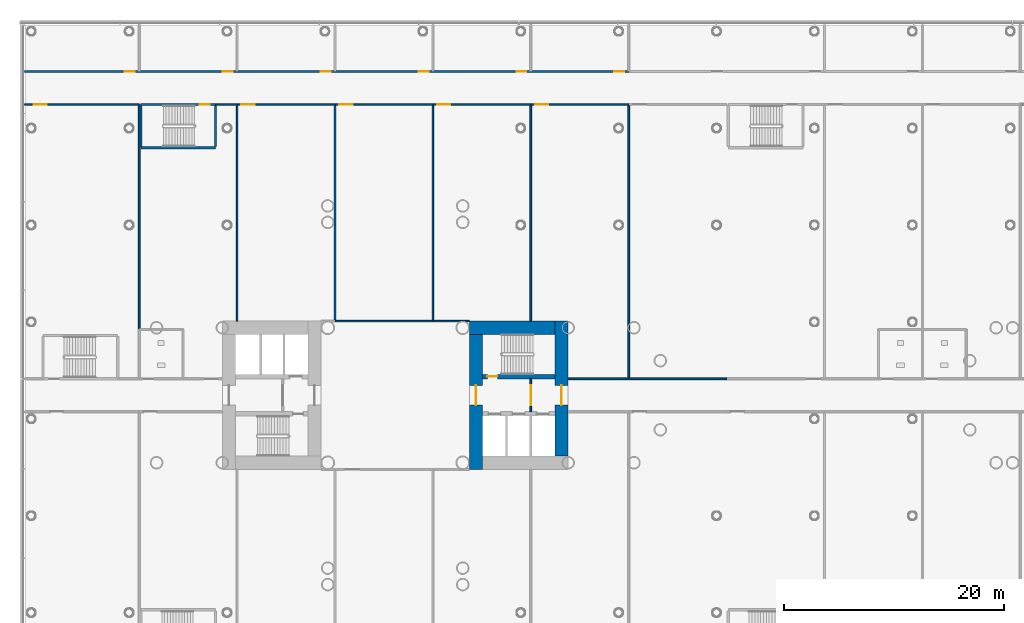
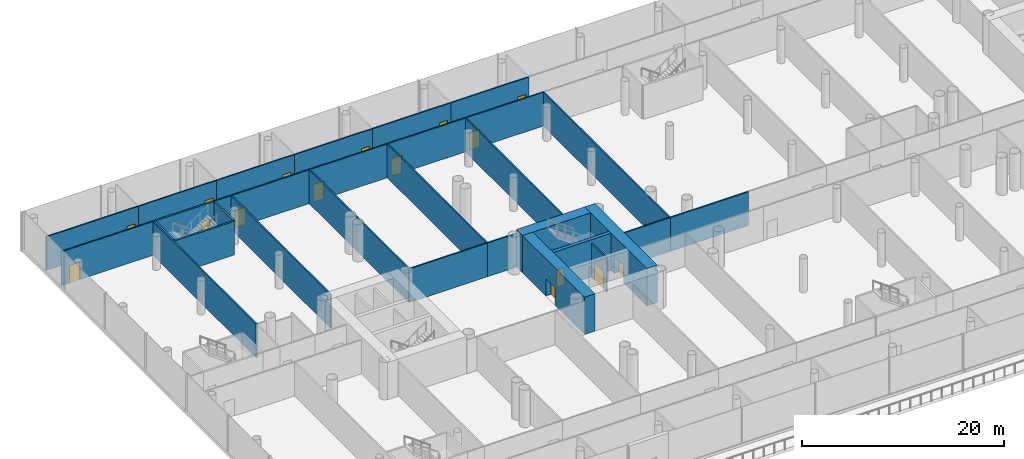
# One storey, part 19 of 49: 31 walls, 16 doors, 16 openings.
"""IFC4 building model written with IfcOpenShell, lengths in metres."""

import ifcopenshell
import ifcopenshell.guid

model = None  # the IFC model being written
_history = None  # IfcOwnerHistory: only IFC2X3 demands one
_inside = {}  # id of a spatial element -> (the spatial element, [elements in it])
_under = {}  # id of a project, library or spatial element -> (it, [spatial elements below it])
_declared = {}  # id of a project -> (the project, [libraries it declares])
_typed = {}  # id of a type object -> (the type object, [elements of that type])
_made_of = {}  # id of a material, layer set ... -> (it, [elements and type objects made of it])


def new_model(schema):
    """Start an empty IFC model of exactly this schema.

    Asked for "IFC4X3", IfcOpenShell would pick the latest addendum, in which some entities
    have other attributes; the version numbers below select the first issue.
    IFC2X3 requires an IfcOwnerHistory on every rooted entity: one is made here for all.
    """
    global model, _history
    if schema == "IFC4X3":
        model = ifcopenshell.file(schema_version=(4, 3, 0, 0))
    else:
        model = ifcopenshell.file(schema=schema)
    _inside.clear()
    _under.clear()
    _declared.clear()
    _typed.clear()
    _made_of.clear()
    _history = None
    if model.schema == "IFC2X3":
        org = make("IfcOrganization", Name="unknown")
        user = make(
            "IfcPersonAndOrganization",
            ThePerson=make("IfcPerson", FamilyName="unknown"),
            TheOrganization=org,
        )
        app = make(
            "IfcApplication",
            ApplicationDeveloper=org,
            Version="unknown",
            ApplicationFullName="unknown",
            ApplicationIdentifier="unknown",
        )
        _history = make(
            "IfcOwnerHistory",
            OwningUser=user,
            OwningApplication=app,
            ChangeAction="ADDED",
            CreationDate=0,
        )
    return model


def make(cls, **values):
    """One entity of the class cls with the attributes given. An attribute that is None is left unset."""
    return model.create_entity(
        cls, **{name: value for name, value in values.items() if value is not None}
    )


def rooted(cls, **values):
    """An entity with a GlobalId (a new one), such as an element, a storey or a relation."""
    return make(cls, GlobalId=ifcopenshell.guid.new(), OwnerHistory=_history, **values)


def si_unit(unit_type, name, prefix=None):
    """IfcSIUnit, for example si_unit("LENGTHUNIT", "METRE", prefix="MILLI")."""
    return make("IfcSIUnit", UnitType=unit_type, Prefix=prefix, Name=name)


def assignment(units):
    """IfcUnitAssignment: the units of a project."""
    return None if units is None else make("IfcUnitAssignment", Units=units)


def point(xyz):
    """IfcCartesianPoint."""
    return None if xyz is None else make("IfcCartesianPoint", Coordinates=xyz)


def direction(xyz):
    """IfcDirection."""
    return None if xyz is None else make("IfcDirection", DirectionRatios=xyz)


def frame(location, z_axis=None, x_axis=None):
    """IfcAxis2Placement3D, a coordinate frame: its origin and axes. An axis left out is left unset."""
    return make(
        "IfcAxis2Placement3D",
        Location=point(location),
        Axis=direction(z_axis),
        RefDirection=direction(x_axis),
    )


def frame_2d(location, x_axis=None):
    """IfcAxis2Placement2D, a coordinate frame in the plane: its origin and x axis."""
    return make(
        "IfcAxis2Placement2D", Location=point(location), RefDirection=direction(x_axis)
    )


def origin():
    """The frame at (0, 0, 0) with its axes left unset."""
    return frame((0.0, 0.0, 0.0))


def place(relative_to, where):
    """IfcLocalPlacement: puts the frame where relative to a parent placement (None: the world)."""
    return make(
        "IfcLocalPlacement", PlacementRelTo=relative_to, RelativePlacement=where
    )


def context(
    kind, dimensions, precision=None, world=None, true_north=None, identifier=None
):
    """IfcGeometricRepresentationContext, for example the 3D "Model" context."""
    return make(
        "IfcGeometricRepresentationContext",
        ContextIdentifier=identifier,
        ContextType=kind,
        CoordinateSpaceDimension=dimensions,
        Precision=precision,
        WorldCoordinateSystem=world,
        TrueNorth=true_north,
    )


def subcontext(parent, identifier, kind, view, scale=None):
    """IfcGeometricRepresentationSubContext, for example "Body" below "Model"."""
    return make(
        "IfcGeometricRepresentationSubContext",
        ContextIdentifier=identifier,
        ContextType=kind,
        ParentContext=parent,
        TargetScale=scale,
        TargetView=view,
    )


def project(units=None, contexts=None):
    """IfcProject with its units and contexts."""
    return rooted(
        "IfcProject",
        Name="project",
        RepresentationContexts=contexts,
        UnitsInContext=assignment(units),
    )


def spatial(cls, under=None, at=None, **own):
    """A site, building, storey or space (cls), placed at a placement, below another one or the project."""
    s = rooted(cls, ObjectPlacement=at, **own)
    if under is not None:
        _under.setdefault(under.id(), (under, []))[1].append(s)
    return s


def profile(cls, at=None, kind="AREA", **sizes):
    """A parametric profile (cls). Its sizes go by their IFC names, for example OverallWidth=200.0."""
    return make(cls, ProfileType=kind, Position=at, **sizes)


def rectangle(**sizes):
    """IfcRectangleProfileDef."""
    return profile("IfcRectangleProfileDef", **sizes)


def extrude(swept, where, along, depth):
    """IfcExtrudedAreaSolid: the profile swept, set in the frame where, extruded along a direction by depth."""
    return make(
        "IfcExtrudedAreaSolid",
        SweptArea=swept,
        Position=where,
        ExtrudedDirection=direction(along),
        Depth=depth,
    )


def shape(context_of_items, identifier, shape_type, items):
    """IfcShapeRepresentation: the items that make up one representation, for example the "Body"."""
    return make(
        "IfcShapeRepresentation",
        ContextOfItems=context_of_items,
        RepresentationIdentifier=identifier,
        RepresentationType=shape_type,
        Items=items,
    )


def material(Name=None, Category=None):
    """IfcMaterial."""
    return make("IfcMaterial", Name=Name, Category=Category)


def layer(
    of_material, thickness, ventilated=None, Name=None, Category=None, Priority=None
):
    """IfcMaterialLayer: one layer of a wall or slab, of a material (None: an air gap)."""
    return make(
        "IfcMaterialLayer",
        Material=of_material,
        LayerThickness=thickness,
        IsVentilated=ventilated,
        Name=Name,
        Category=Category,
        Priority=Priority,
    )


def layer_set(layers, Name=None):
    """IfcMaterialLayerSet."""
    return make("IfcMaterialLayerSet", MaterialLayers=layers, LayerSetName=Name)


def made_of(thing, what):
    """Note that an element or type object is made of a material, layer set ...; save() writes the relation."""
    if what is not None:
        _made_of.setdefault(what.id(), (what, []))[1].append(thing)
    return thing


def type_object(cls, material=None, **own):
    """A type object (cls), such as IfcWallType, which elements share."""
    return made_of(rooted(cls, **own), material)


def element(
    cls,
    number,
    at=None,
    inside=None,
    cuts=None,
    type_object=None,
    material=None,
    context=None,
    identifier="Body",
    shape_type=None,
    held_by="IfcProductDefinitionShape",
    body=None,
    shapes=None,
    **own,
):
    """One element of the class cls, such as IfcWall. Its Tag is "e" and its number.

    at: its placement. inside: the storey or other place that contains it. cuts: it is an
    opening in that element (IfcRelVoidsElement). A single representation is given by context,
    identifier, shape_type and body (its items); several are given by shapes. held_by: the class
    of the entity that holds the representations. save() writes the other relations.
    """
    e = rooted(cls, Tag="e%d" % number, ObjectPlacement=at, **own)
    if body is not None:
        shapes = [shape(context, identifier, shape_type, body)]
    if shapes is not None:
        e.Representation = make(held_by, Representations=shapes)
    if inside is not None:
        _inside.setdefault(inside.id(), (inside, []))[1].append(e)
    if cuts is not None:
        rooted(
            "IfcRelVoidsElement", RelatingBuildingElement=cuts, RelatedOpeningElement=e
        )
    if type_object is not None:
        _typed.setdefault(type_object.id(), (type_object, []))[1].append(e)
    return made_of(e, material)


def fill(opening, filler):
    """IfcRelFillsElement: the door or window that sits in an opening."""
    return rooted(
        "IfcRelFillsElement",
        RelatingOpeningElement=opening,
        RelatedBuildingElement=filler,
    )


def aggregate(whole, parts):
    """IfcRelAggregates: a whole, such as a stair, and the parts it consists of."""
    return rooted("IfcRelAggregates", RelatingObject=whole, RelatedObjects=parts)


def save(model, path):
    """Write the relations noted so far, then the file.

    IfcRelAggregates (storeys below a building ...), IfcRelContainedInSpatialStructure (elements
    in a storey), IfcRelDefinesByType, IfcRelAssociatesMaterial and IfcRelDeclares: one each for
    every whole, place, type object, material and project.
    """
    for whole, parts in _under.values():
        aggregate(whole, parts)
    for where, things in _inside.values():
        rooted(
            "IfcRelContainedInSpatialStructure",
            RelatedElements=things,
            RelatingStructure=where,
        )
    for kind, things in _typed.values():
        rooted("IfcRelDefinesByType", RelatedObjects=things, RelatingType=kind)
    for what, things in _made_of.values():
        rooted("IfcRelAssociatesMaterial", RelatedObjects=things, RelatingMaterial=what)
    for by, libraries in _declared.values():
        rooted("IfcRelDeclares", RelatingContext=by, RelatedDefinitions=libraries)
    model.write(path)


model = new_model("IFC4")

# Units and contexts
model_context = context("Model", 3, precision=1e-05, world=origin(), true_north=direction((0.0, 1.0)))
body_context = subcontext(model_context, "Body", "Model", "MODEL_VIEW")
ifc_project = project(units=[si_unit("LENGTHUNIT", "METRE"), si_unit("AREAUNIT", "SQUARE_METRE"), si_unit("VOLUMEUNIT", "CUBIC_METRE"), si_unit("PLANEANGLEUNIT", "RADIAN"), si_unit("MASSUNIT", "GRAM", prefix="KILO")], contexts=[model_context])

# Site, building, storey
site_placement = place(None, origin())
site = spatial("IfcSite", under=ifc_project, at=site_placement, CompositionType="ELEMENT")
building_placement = place(site_placement, origin())
building = spatial("IfcBuilding", under=site, at=building_placement, Name="Ipe Terrace Towers", CompositionType="ELEMENT")
storey_placement = place(building_placement, frame((0.0, 0.0, 20.0)))
storey = spatial("IfcBuildingStorey", under=building, at=storey_placement, Name="L04", CompositionType="ELEMENT", Elevation=20.0)

# Wall, opening, door
ifc_material_1 = material(Name="Gypsum board partition", Category="plasterboard")
ifc_layer_1 = layer(ifc_material_1, 0.14990234375)
ifc_layer_set_1 = layer_set([ifc_layer_1], Name="Gypsum board partition 150 mm")
wall_type_1 = type_object("IfcWallType", Name="Gypsum board partition 150 mm", PredefinedType="PARTITIONING", material=ifc_layer_set_1)
wall_1_placement = place(storey_placement, frame((-23.64990234375, -1.5, 0.0), z_axis=(0.0, 0.0, 1.0), x_axis=(0.0, 1.0, 0.0)))
wall_1 = element("IfcWall", 1, at=wall_1_placement, inside=storey, type_object=wall_type_1, Name="Gypsum board partition T1 L04 t1c1-lobby-wall", PredefinedType="PARTITIONING", context=body_context, shape_type="SweptSolid", body=[
    extrude(rectangle(XDim=3.0, YDim=0.14990234375, at=frame_2d((1.5, 0.0))), origin(), (0.0, 0.0, 1.0), 4.074951171875),
])
opening_1_placement = place(wall_1_placement, frame((0.60009765625, 0.0, 0.0)))
opening_1 = element("IfcOpeningElement", 2, at=opening_1_placement, cuts=wall_1, Name="Opening T1C1-VD", PredefinedType="OPENING", context=body_context, shape_type="SweptSolid", body=[
    extrude(rectangle(XDim=1.800048828125, YDim=2.10009765625, at=frame_2d((0.89990234375, 1.050048828125))), frame((0.0, 0.0849609375, 0.0), z_axis=(0.0, -1.0, 0.0), x_axis=(1.0, 0.0, 0.0)), (0.0, 0.0, 1.0), 0.169921875),
])
ifc_material_2 = material(Name="Fire-rated timber door leaf", Category="wood")
door_type_1 = type_object("IfcDoorType", Name="Lobby door 1800 x 2100 FD60", OperationType="NOTDEFINED", PredefinedType="DOOR", material=ifc_material_2)
door_1_placement = place(opening_1_placement, origin())
door_1 = element("IfcDoor", 3, at=door_1_placement, inside=storey, type_object=door_type_1, Name="Lobby door T1C1-VD", OperationType="SINGLE_SWING_LEFT", OverallHeight=2.10009765625, OverallWidth=1.800048828125, PredefinedType="DOOR", context=body_context, shape_type="SweptSolid", body=[
    extrude(rectangle(XDim=1.800048828125, YDim=2.10009765625, at=frame_2d((0.89990234375, 1.050048828125))), frame((0.0, 0.02490234375, 0.0), z_axis=(0.0, -1.0, 0.0), x_axis=(1.0, 0.0, 0.0)), (0.0, 0.0, 1.0), 0.050048828125),
])
fill(opening_1, door_1)

wall_2_placement = place(storey_placement, frame((-69.85009765625, 26.5, 0.0), z_axis=(0.0, 0.0, 1.0), x_axis=(1.0, 0.0, 0.0)))
wall_2 = element("IfcWall", 4, at=wall_2_placement, inside=storey, type_object=wall_type_1, Name="Gypsum board partition T1 L04 pd-r2-w7", PredefinedType="PARTITIONING", context=body_context, shape_type="SweptSolid", body=[
    extrude(rectangle(XDim=10.52001953125, YDim=0.14990234375, at=frame_2d((5.260009765625, 0.0))), origin(), (0.0, 0.0, 1.0), 4.074951171875),
])
opening_2_placement = place(wall_2_placement, frame((0.89990234375, 0.0, 0.0)))
opening_2 = element("IfcOpeningElement", 5, at=opening_2_placement, cuts=wall_2, Name="Opening PD-L04-r2", PredefinedType="OPENING", context=body_context, shape_type="SweptSolid", body=[
    extrude(rectangle(XDim=1.199951171875, YDim=2.10009765625, at=frame_2d((0.60009765625, 1.050048828125))), frame((0.0, 0.0849609375, 0.0), z_axis=(0.0, -1.0, 0.0), x_axis=(1.0, 0.0, 0.0)), (0.0, 0.0, 1.0), 0.169921875),
])
ifc_material_3 = material(Name="Fire-rated timber door leaf", Category="wood")
door_type_2 = type_object("IfcDoorType", Name="Lounge door 1200 x 2100 FD30S", OperationType="NOTDEFINED", PredefinedType="DOOR", material=ifc_material_3)
door_2_placement = place(opening_2_placement, origin())
door_2 = element("IfcDoor", 6, at=door_2_placement, inside=storey, type_object=door_type_2, Name="Lounge door PD-L04-r2", OperationType="SINGLE_SWING_RIGHT", OverallHeight=2.10009765625, OverallWidth=1.199951171875, PredefinedType="DOOR", context=body_context, shape_type="SweptSolid", body=[
    extrude(rectangle(XDim=1.199951171875, YDim=2.10009765625, at=frame_2d((0.60009765625, 1.050048828125))), frame((0.0, 0.02490234375, 0.0), z_axis=(0.0, -1.0, 0.0), x_axis=(1.0, 0.0, 0.0)), (0.0, 0.0, 1.0), 0.050048828125),
])
fill(opening_2, door_2)

# Wall
wall_3_placement = place(storey_placement, frame((-59.330078125, 26.5, 0.0), z_axis=(0.0, 0.0, 1.0), x_axis=(0.0, -1.0, 0.0)))
element("IfcWall", 7, at=wall_3_placement, inside=storey, type_object=wall_type_1, Name="Gypsum board partition T1 L04 pd-r2-r7-w8", PredefinedType="PARTITIONING", context=body_context, shape_type="SweptSolid", body=[
    extrude(rectangle(XDim=20.5, YDim=0.14990234375, at=frame_2d((10.25, 0.0))), origin(), (0.0, 0.0, 1.0), 4.074951171875),
])

# Wall, opening, door
wall_4_placement = place(storey_placement, frame((-59.330078125, 29.5, 0.0), z_axis=(0.0, 0.0, 1.0), x_axis=(-1.0, 0.0, 0.0)))
wall_4 = element("IfcWall", 8, at=wall_4_placement, inside=storey, type_object=wall_type_1, Name="Gypsum board partition T1 L04 pd-r3-w9", PredefinedType="PARTITIONING", context=body_context, shape_type="SweptSolid", body=[
    extrude(rectangle(XDim=10.52001953125, YDim=0.14990234375, at=frame_2d((5.260009765625, 0.0))), origin(), (0.0, 0.0, 1.0), 4.074951171875),
])
opening_3_placement = place(wall_4_placement, frame((0.39990234375, 0.0, 0.0)))
opening_3 = element("IfcOpeningElement", 9, at=opening_3_placement, cuts=wall_4, Name="Opening PD-L04-r3", PredefinedType="OPENING", context=body_context, shape_type="SweptSolid", body=[
    extrude(rectangle(XDim=0.89990234375, YDim=2.10009765625, at=frame_2d((0.449951171875, 1.050048828125))), frame((0.0, 0.0849609375, 0.0), z_axis=(0.0, -1.0, 0.0), x_axis=(1.0, 0.0, 0.0)), (0.0, 0.0, 1.0), 0.169921875),
])
ifc_material_4 = material(Name="Fire-rated timber door leaf", Category="wood")
door_type_3 = type_object("IfcDoorType", Name="Lounge door 900 x 2100 FD30S", OperationType="NOTDEFINED", PredefinedType="DOOR", material=ifc_material_4)
door_3_placement = place(opening_3_placement, origin())
door_3 = element("IfcDoor", 10, at=door_3_placement, inside=storey, type_object=door_type_3, Name="Lounge door PD-L04-r3", OperationType="SINGLE_SWING_RIGHT", OverallHeight=2.10009765625, OverallWidth=0.89990234375, PredefinedType="DOOR", context=body_context, shape_type="SweptSolid", body=[
    extrude(rectangle(XDim=0.89990234375, YDim=2.10009765625, at=frame_2d((0.449951171875, 1.050048828125))), frame((0.0, 0.02490234375, 0.0), z_axis=(0.0, -1.0, 0.0), x_axis=(1.0, 0.0, 0.0)), (0.0, 0.0, 1.0), 0.050048828125),
])
fill(opening_3, door_3)

wall_5_placement = place(storey_placement, frame((-50.409912109375, 29.5, 0.0), z_axis=(0.0, 0.0, 1.0), x_axis=(-1.0, 0.0, 0.0)))
wall_5 = element("IfcWall", 11, at=wall_5_placement, inside=storey, type_object=wall_type_1, Name="Gypsum board partition T1 L04 pd-r6-w16", PredefinedType="PARTITIONING", context=body_context, shape_type="SweptSolid", body=[
    extrude(rectangle(XDim=8.920166015625, YDim=0.14990234375, at=frame_2d((4.4599609375, 0.0))), origin(), (0.0, 0.0, 1.0), 4.074951171875),
])
opening_4_placement = place(wall_5_placement, frame((0.39990234375, 0.0, 0.0)))
opening_4 = element("IfcOpeningElement", 12, at=opening_4_placement, cuts=wall_5, Name="Opening PD-L04-r6", PredefinedType="OPENING", context=body_context, shape_type="SweptSolid", body=[
    extrude(rectangle(XDim=0.89990234375, YDim=2.10009765625, at=frame_2d((0.449951171875, 1.050048828125))), frame((0.0, 0.0849609375, 0.0), z_axis=(0.0, -1.0, 0.0), x_axis=(1.0, 0.0, 0.0)), (0.0, 0.0, 1.0), 0.169921875),
])
door_4_placement = place(opening_4_placement, origin())
door_4 = element("IfcDoor", 13, at=door_4_placement, inside=storey, type_object=door_type_3, Name="Lounge door PD-L04-r6", OperationType="SINGLE_SWING_RIGHT", OverallHeight=2.10009765625, OverallWidth=0.89990234375, PredefinedType="DOOR", context=body_context, shape_type="SweptSolid", body=[
    extrude(rectangle(XDim=0.89990234375, YDim=2.10009765625, at=frame_2d((0.449951171875, 1.050048828125))), frame((0.0, 0.02490234375, 0.0), z_axis=(0.0, -1.0, 0.0), x_axis=(1.0, 0.0, 0.0)), (0.0, 0.0, 1.0), 0.050048828125),
])
fill(opening_4, door_4)

# Wall
wall_6_placement = place(storey_placement, frame((-52.3701171875, 26.5, 0.0), z_axis=(0.0, 0.0, 1.0), x_axis=(1.0, 0.0, 0.0)))
element("IfcWall", 14, at=wall_6_placement, inside=storey, type_object=wall_type_1, Name="Gypsum board partition T1 L04 pd-r7-w18", PredefinedType="PARTITIONING", context=body_context, shape_type="SweptSolid", body=[
    extrude(rectangle(XDim=1.960205078125, YDim=0.14990234375, at=frame_2d((0.97998046875, 0.0))), origin(), (0.0, 0.0, 1.0), 4.074951171875),
])

# Wall, opening, door
wall_7_placement = place(storey_placement, frame((-41.489990234375, 29.5, 0.0), z_axis=(0.0, 0.0, 1.0), x_axis=(-1.0, 0.0, 0.0)))
wall_7 = element("IfcWall", 15, at=wall_7_placement, inside=storey, type_object=wall_type_1, Name="Gypsum board partition T1 L04 pd-r10-w22", PredefinedType="PARTITIONING", context=body_context, shape_type="SweptSolid", body=[
    extrude(rectangle(XDim=8.919921875, YDim=0.14990234375, at=frame_2d((4.4599609375, 0.0))), origin(), (0.0, 0.0, 1.0), 4.074951171875),
])
opening_5_placement = place(wall_7_placement, frame((0.39990234375, 0.0, 0.0)))
opening_5 = element("IfcOpeningElement", 16, at=opening_5_placement, cuts=wall_7, Name="Opening PD-L04-r10", PredefinedType="OPENING", context=body_context, shape_type="SweptSolid", body=[
    extrude(rectangle(XDim=0.89990234375, YDim=2.10009765625, at=frame_2d((0.449951171875, 1.050048828125))), frame((0.0, 0.0849609375, 0.0), z_axis=(0.0, -1.0, 0.0), x_axis=(1.0, 0.0, 0.0)), (0.0, 0.0, 1.0), 0.169921875),
])
door_5_placement = place(opening_5_placement, origin())
door_5 = element("IfcDoor", 17, at=door_5_placement, inside=storey, type_object=door_type_3, Name="Lounge door PD-L04-r10", OperationType="SINGLE_SWING_RIGHT", OverallHeight=2.10009765625, OverallWidth=0.89990234375, PredefinedType="DOOR", context=body_context, shape_type="SweptSolid", body=[
    extrude(rectangle(XDim=0.89990234375, YDim=2.10009765625, at=frame_2d((0.449951171875, 1.050048828125))), frame((0.0, 0.02490234375, 0.0), z_axis=(0.0, -1.0, 0.0), x_axis=(1.0, 0.0, 0.0)), (0.0, 0.0, 1.0), 0.050048828125),
])
fill(opening_5, door_5)

wall_8_placement = place(storey_placement, frame((-50.409912109375, 26.5, 0.0), z_axis=(0.0, 0.0, 1.0), x_axis=(1.0, 0.0, 0.0)))
wall_8 = element("IfcWall", 18, at=wall_8_placement, inside=storey, type_object=wall_type_1, Name="Gypsum board partition T1 L04 pd-r11-w25", PredefinedType="PARTITIONING", context=body_context, shape_type="SweptSolid", body=[
    extrude(rectangle(XDim=8.919921875, YDim=0.14990234375, at=frame_2d((4.4599609375, 0.0))), origin(), (0.0, 0.0, 1.0), 4.074951171875),
])
opening_6_placement = place(wall_8_placement, frame((0.39990234375, 0.0, 0.0)))
opening_6 = element("IfcOpeningElement", 19, at=opening_6_placement, cuts=wall_8, Name="Opening PD-L04-r11", PredefinedType="OPENING", context=body_context, shape_type="SweptSolid", body=[
    extrude(rectangle(XDim=1.199951171875, YDim=2.10009765625, at=frame_2d((0.60009765625, 1.050048828125))), frame((0.0, 0.0849609375, 0.0), z_axis=(0.0, -1.0, 0.0), x_axis=(1.0, 0.0, 0.0)), (0.0, 0.0, 1.0), 0.169921875),
])
door_6_placement = place(opening_6_placement, origin())
door_6 = element("IfcDoor", 20, at=door_6_placement, inside=storey, type_object=door_type_2, Name="Lounge door PD-L04-r11", OperationType="SINGLE_SWING_RIGHT", OverallHeight=2.10009765625, OverallWidth=1.199951171875, PredefinedType="DOOR", context=body_context, shape_type="SweptSolid", body=[
    extrude(rectangle(XDim=1.199951171875, YDim=2.10009765625, at=frame_2d((0.60009765625, 1.050048828125))), frame((0.0, 0.02490234375, 0.0), z_axis=(0.0, -1.0, 0.0), x_axis=(1.0, 0.0, 0.0)), (0.0, 0.0, 1.0), 0.050048828125),
])
fill(opening_6, door_6)

# Walls
for number, where, z_axis, x_axis, name in (
    (21, (-50.409912109375, 6.75, 0.0), (0.0, 0.0, 1.0), (0.0, 1.0, 0.0), "Gypsum board partition T1 L04 pd-r11-r7-w27"),
    (22, (-41.489990234375, 26.5, 0.0), (0.0, 0.0, 1.0), (0.0, -1.0, 0.0), "Gypsum board partition T1 L04 pd-r11-r14-w28"),
):
    element("IfcWall", number, at=place(storey_placement, frame(where, z_axis=z_axis, x_axis=x_axis)), inside=storey, type_object=wall_type_1, Name=name, PredefinedType="PARTITIONING", context=body_context, shape_type="SweptSolid", body=[
        extrude(rectangle(XDim=19.75, YDim=0.14990234375, at=frame_2d((9.875, 0.0))), origin(), (0.0, 0.0, 1.0), 4.074951171875),
    ])

# Wall, opening, door
wall_9_placement = place(storey_placement, frame((-41.489990234375, 26.5, 0.0), z_axis=(0.0, 0.0, 1.0), x_axis=(1.0, 0.0, 0.0)))
wall_9 = element("IfcWall", 23, at=wall_9_placement, inside=storey, type_object=wall_type_1, Name="Gypsum board partition T1 L04 pd-r14-w36", PredefinedType="PARTITIONING", context=body_context, shape_type="SweptSolid", body=[
    extrude(rectangle(XDim=8.919921875, YDim=0.14990234375, at=frame_2d((4.4599609375, 0.0))), origin(), (0.0, 0.0, 1.0), 4.074951171875),
])
opening_7_placement = place(wall_9_placement, frame((0.39990234375, 0.0, 0.0)))
opening_7 = element("IfcOpeningElement", 24, at=opening_7_placement, cuts=wall_9, Name="Opening PD-L04-r14", PredefinedType="OPENING", context=body_context, shape_type="SweptSolid", body=[
    extrude(rectangle(XDim=1.199951171875, YDim=2.10009765625, at=frame_2d((0.60009765625, 1.050048828125))), frame((0.0, 0.0849609375, 0.0), z_axis=(0.0, -1.0, 0.0), x_axis=(1.0, 0.0, 0.0)), (0.0, 0.0, 1.0), 0.169921875),
])
door_7_placement = place(opening_7_placement, origin())
door_7 = element("IfcDoor", 25, at=door_7_placement, inside=storey, type_object=door_type_2, Name="Lounge door PD-L04-r14", OperationType="SINGLE_SWING_RIGHT", OverallHeight=2.10009765625, OverallWidth=1.199951171875, PredefinedType="DOOR", context=body_context, shape_type="SweptSolid", body=[
    extrude(rectangle(XDim=1.199951171875, YDim=2.10009765625, at=frame_2d((0.60009765625, 1.050048828125))), frame((0.0, 0.02490234375, 0.0), z_axis=(0.0, -1.0, 0.0), x_axis=(1.0, 0.0, 0.0)), (0.0, 0.0, 1.0), 0.050048828125),
])
fill(opening_7, door_7)

# Walls
wall_10_placement = place(storey_placement, frame((-32.570068359375, 6.75, 0.0), z_axis=(0.0, 0.0, 1.0), x_axis=(-1.0, 0.0, 0.0)))
element("IfcWall", 26, at=wall_10_placement, inside=storey, type_object=wall_type_1, Name="Gypsum board partition T1 L04 pd-r14-w37", PredefinedType="PARTITIONING", context=body_context, shape_type="SweptSolid", body=[
    extrude(rectangle(XDim=8.919921875, YDim=0.14990234375, at=frame_2d((4.4599609375, 0.0))), origin(), (0.0, 0.0, 1.0), 4.074951171875),
])
wall_11_placement = place(storey_placement, frame((-32.570068359375, 26.5, 0.0), z_axis=(0.0, 0.0, 1.0), x_axis=(0.0, -1.0, 0.0)))
element("IfcWall", 27, at=wall_11_placement, inside=storey, type_object=wall_type_1, Name="Gypsum board partition T1 L04 pd-r14-r18-w38", PredefinedType="PARTITIONING", context=body_context, shape_type="SweptSolid", body=[
    extrude(rectangle(XDim=19.75, YDim=0.14990234375, at=frame_2d((9.875, 0.0))), origin(), (0.0, 0.0, 1.0), 4.074951171875),
])

# Wall, opening, door
wall_12_placement = place(storey_placement, frame((-32.570068359375, 29.5, 0.0), z_axis=(0.0, 0.0, 1.0), x_axis=(-1.0, 0.0, 0.0)))
wall_12 = element("IfcWall", 28, at=wall_12_placement, inside=storey, type_object=wall_type_1, Name="Gypsum board partition T1 L04 pd-r15-w39", PredefinedType="PARTITIONING", context=body_context, shape_type="SweptSolid", body=[
    extrude(rectangle(XDim=8.919921875, YDim=0.14990234375, at=frame_2d((4.4599609375, 0.0))), origin(), (0.0, 0.0, 1.0), 4.074951171875),
])
opening_8_placement = place(wall_12_placement, frame((0.39990234375, 0.0, 0.0)))
opening_8 = element("IfcOpeningElement", 29, at=opening_8_placement, cuts=wall_12, Name="Opening PD-L04-r15", PredefinedType="OPENING", context=body_context, shape_type="SweptSolid", body=[
    extrude(rectangle(XDim=0.89990234375, YDim=2.10009765625, at=frame_2d((0.449951171875, 1.050048828125))), frame((0.0, 0.0849609375, 0.0), z_axis=(0.0, -1.0, 0.0), x_axis=(1.0, 0.0, 0.0)), (0.0, 0.0, 1.0), 0.169921875),
])
door_8_placement = place(opening_8_placement, origin())
door_8 = element("IfcDoor", 30, at=door_8_placement, inside=storey, type_object=door_type_3, Name="Lounge door PD-L04-r15", OperationType="SINGLE_SWING_RIGHT", OverallHeight=2.10009765625, OverallWidth=0.89990234375, PredefinedType="DOOR", context=body_context, shape_type="SweptSolid", body=[
    extrude(rectangle(XDim=0.89990234375, YDim=2.10009765625, at=frame_2d((0.449951171875, 1.050048828125))), frame((0.0, 0.02490234375, 0.0), z_axis=(0.0, -1.0, 0.0), x_axis=(1.0, 0.0, 0.0)), (0.0, 0.0, 1.0), 0.050048828125),
])
fill(opening_8, door_8)

# Wall
wall_13_placement = place(storey_placement, frame((-29.25, 6.75, 0.0), z_axis=(0.0, 0.0, 1.0), x_axis=(-1.0, 0.0, 0.0)))
element("IfcWall", 31, at=wall_13_placement, inside=storey, type_object=wall_type_1, Name="Gypsum board partition T1 L04 pd-r18-w46", PredefinedType="PARTITIONING", context=body_context, shape_type="SweptSolid", body=[
    extrude(rectangle(XDim=3.320068359375, YDim=0.14990234375, at=frame_2d((1.66015625, 0.0))), origin(), (0.0, 0.0, 1.0), 4.074951171875),
])

# Wall, opening, door
wall_14_placement = place(storey_placement, frame((-32.570068359375, 26.5, 0.0), z_axis=(0.0, 0.0, 1.0), x_axis=(1.0, 0.0, 0.0)))
wall_14 = element("IfcWall", 32, at=wall_14_placement, inside=storey, type_object=wall_type_1, Name="Gypsum board partition T1 L04 pd-r18-w47", PredefinedType="PARTITIONING", context=body_context, shape_type="SweptSolid", body=[
    extrude(rectangle(XDim=8.920166015625, YDim=0.14990234375, at=frame_2d((4.4599609375, 0.0))), origin(), (0.0, 0.0, 1.0), 4.074951171875),
])
opening_9_placement = place(wall_14_placement, frame((0.39990234375, 0.0, 0.0)))
opening_9 = element("IfcOpeningElement", 33, at=opening_9_placement, cuts=wall_14, Name="Opening PD-L04-r18", PredefinedType="OPENING", context=body_context, shape_type="SweptSolid", body=[
    extrude(rectangle(XDim=1.199951171875, YDim=2.10009765625, at=frame_2d((0.60009765625, 1.050048828125))), frame((0.0, 0.0849609375, 0.0), z_axis=(0.0, -1.0, 0.0), x_axis=(1.0, 0.0, 0.0)), (0.0, 0.0, 1.0), 0.169921875),
])
door_9_placement = place(opening_9_placement, origin())
door_9 = element("IfcDoor", 34, at=door_9_placement, inside=storey, type_object=door_type_2, Name="Lounge door PD-L04-r18", OperationType="SINGLE_SWING_RIGHT", OverallHeight=2.10009765625, OverallWidth=1.199951171875, PredefinedType="DOOR", context=body_context, shape_type="SweptSolid", body=[
    extrude(rectangle(XDim=1.199951171875, YDim=2.10009765625, at=frame_2d((0.60009765625, 1.050048828125))), frame((0.0, 0.02490234375, 0.0), z_axis=(0.0, -1.0, 0.0), x_axis=(1.0, 0.0, 0.0)), (0.0, 0.0, 1.0), 0.050048828125),
])
fill(opening_9, door_9)

# Wall
wall_15_placement = place(storey_placement, frame((-23.64990234375, 26.5, 0.0), z_axis=(0.0, 0.0, 1.0), x_axis=(0.0, -1.0, 0.0)))
element("IfcWall", 35, at=wall_15_placement, inside=storey, type_object=wall_type_1, Name="Gypsum board partition T1 L04 pd-r18-r23-w48", PredefinedType="PARTITIONING", context=body_context, shape_type="SweptSolid", body=[
    extrude(rectangle(XDim=19.75, YDim=0.14990234375, at=frame_2d((9.875, 0.0))), origin(), (0.0, 0.0, 1.0), 4.074951171875),
])

# Wall, opening, door
wall_16_placement = place(storey_placement, frame((-23.64990234375, 29.5, 0.0), z_axis=(0.0, 0.0, 1.0), x_axis=(-1.0, 0.0, 0.0)))
wall_16 = element("IfcWall", 36, at=wall_16_placement, inside=storey, type_object=wall_type_1, Name="Gypsum board partition T1 L04 pd-r19-w49", PredefinedType="PARTITIONING", context=body_context, shape_type="SweptSolid", body=[
    extrude(rectangle(XDim=8.920166015625, YDim=0.14990234375, at=frame_2d((4.4599609375, 0.0))), origin(), (0.0, 0.0, 1.0), 4.074951171875),
])
opening_10_placement = place(wall_16_placement, frame((0.39990234375, 0.0, 0.0)))
opening_10 = element("IfcOpeningElement", 37, at=opening_10_placement, cuts=wall_16, Name="Opening PD-L04-r19", PredefinedType="OPENING", context=body_context, shape_type="SweptSolid", body=[
    extrude(rectangle(XDim=0.89990234375, YDim=2.10009765625, at=frame_2d((0.449951171875, 1.050048828125))), frame((0.0, 0.0849609375, 0.0), z_axis=(0.0, -1.0, 0.0), x_axis=(1.0, 0.0, 0.0)), (0.0, 0.0, 1.0), 0.169921875),
])
door_10_placement = place(opening_10_placement, origin())
door_10 = element("IfcDoor", 38, at=door_10_placement, inside=storey, type_object=door_type_3, Name="Lounge door PD-L04-r19", OperationType="SINGLE_SWING_RIGHT", OverallHeight=2.10009765625, OverallWidth=0.89990234375, PredefinedType="DOOR", context=body_context, shape_type="SweptSolid", body=[
    extrude(rectangle(XDim=0.89990234375, YDim=2.10009765625, at=frame_2d((0.449951171875, 1.050048828125))), frame((0.0, 0.02490234375, 0.0), z_axis=(0.0, -1.0, 0.0), x_axis=(1.0, 0.0, 0.0)), (0.0, 0.0, 1.0), 0.050048828125),
])
fill(opening_10, door_10)

wall_17_placement = place(storey_placement, frame((-14.72998046875, 29.5, 0.0), z_axis=(0.0, 0.0, 1.0), x_axis=(-1.0, 0.0, 0.0)))
wall_17 = element("IfcWall", 39, at=wall_17_placement, inside=storey, type_object=wall_type_1, Name="Gypsum board partition T1 L04 pd-r21-w53", PredefinedType="PARTITIONING", context=body_context, shape_type="SweptSolid", body=[
    extrude(rectangle(XDim=8.919921875, YDim=0.14990234375, at=frame_2d((4.4599609375, 0.0))), origin(), (0.0, 0.0, 1.0), 4.074951171875),
])
opening_11_placement = place(wall_17_placement, frame((0.39990234375, 0.0, 0.0)))
opening_11 = element("IfcOpeningElement", 40, at=opening_11_placement, cuts=wall_17, Name="Opening PD-L04-r21", PredefinedType="OPENING", context=body_context, shape_type="SweptSolid", body=[
    extrude(rectangle(XDim=0.89990234375, YDim=2.10009765625, at=frame_2d((0.449951171875, 1.050048828125))), frame((0.0, 0.0849609375, 0.0), z_axis=(0.0, -1.0, 0.0), x_axis=(1.0, 0.0, 0.0)), (0.0, 0.0, 1.0), 0.169921875),
])
door_11_placement = place(opening_11_placement, origin())
door_11 = element("IfcDoor", 41, at=door_11_placement, inside=storey, type_object=door_type_3, Name="Lounge door PD-L04-r21", OperationType="SINGLE_SWING_RIGHT", OverallHeight=2.10009765625, OverallWidth=0.89990234375, PredefinedType="DOOR", context=body_context, shape_type="SweptSolid", body=[
    extrude(rectangle(XDim=0.89990234375, YDim=2.10009765625, at=frame_2d((0.449951171875, 1.050048828125))), frame((0.0, 0.02490234375, 0.0), z_axis=(0.0, -1.0, 0.0), x_axis=(1.0, 0.0, 0.0)), (0.0, 0.0, 1.0), 0.050048828125),
])
fill(opening_11, door_11)

wall_18_placement = place(storey_placement, frame((-23.64990234375, 26.5, 0.0), z_axis=(0.0, 0.0, 1.0), x_axis=(1.0, 0.0, 0.0)))
wall_18 = element("IfcWall", 42, at=wall_18_placement, inside=storey, type_object=wall_type_1, Name="Gypsum board partition T1 L04 pd-r23-w58", PredefinedType="PARTITIONING", context=body_context, shape_type="SweptSolid", body=[
    extrude(rectangle(XDim=8.919921875, YDim=0.14990234375, at=frame_2d((4.4599609375, 0.0))), origin(), (0.0, 0.0, 1.0), 4.074951171875),
])
opening_12_placement = place(wall_18_placement, frame((0.39990234375, 0.0, 0.0)))
opening_12 = element("IfcOpeningElement", 43, at=opening_12_placement, cuts=wall_18, Name="Opening PD-L04-r23", PredefinedType="OPENING", context=body_context, shape_type="SweptSolid", body=[
    extrude(rectangle(XDim=1.199951171875, YDim=2.10009765625, at=frame_2d((0.60009765625, 1.050048828125))), frame((0.0, 0.0849609375, 0.0), z_axis=(0.0, -1.0, 0.0), x_axis=(1.0, 0.0, 0.0)), (0.0, 0.0, 1.0), 0.169921875),
])
door_12_placement = place(opening_12_placement, origin())
door_12 = element("IfcDoor", 44, at=door_12_placement, inside=storey, type_object=door_type_2, Name="Lounge door PD-L04-r23", OperationType="SINGLE_SWING_RIGHT", OverallHeight=2.10009765625, OverallWidth=1.199951171875, PredefinedType="DOOR", context=body_context, shape_type="SweptSolid", body=[
    extrude(rectangle(XDim=1.199951171875, YDim=2.10009765625, at=frame_2d((0.60009765625, 1.050048828125))), frame((0.0, 0.02490234375, 0.0), z_axis=(0.0, -1.0, 0.0), x_axis=(1.0, 0.0, 0.0)), (0.0, 0.0, 1.0), 0.050048828125),
])
fill(opening_12, door_12)

# Walls
wall_19_placement = place(storey_placement, frame((-14.72998046875, 1.5, 0.0), z_axis=(0.0, 0.0, 1.0), x_axis=(-1.0, 0.0, 0.0)))
element("IfcWall", 45, at=wall_19_placement, inside=storey, type_object=wall_type_1, Name="Gypsum board partition T1 L04 pd-r23-w59", PredefinedType="PARTITIONING", context=body_context, shape_type="SweptSolid", body=[
    extrude(rectangle(XDim=5.52001953125, YDim=0.14990234375, at=frame_2d((2.760009765625, 0.0))), origin(), (0.0, 0.0, 1.0), 4.074951171875),
])
wall_20_placement = place(storey_placement, frame((-14.72998046875, 26.5, 0.0), z_axis=(0.0, 0.0, 1.0), x_axis=(0.0, -1.0, 0.0)))
element("IfcWall", 46, at=wall_20_placement, inside=storey, type_object=wall_type_1, Name="Gypsum board partition T1 L04 pd-r23-r26-w60", PredefinedType="PARTITIONING", context=body_context, shape_type="SweptSolid", body=[
    extrude(rectangle(XDim=25.0, YDim=0.14990234375, at=frame_2d((12.5, 0.0))), origin(), (0.0, 0.0, 1.0), 4.074951171875),
])
wall_21_placement = place(storey_placement, frame((-5.81005859375, 1.5, 0.0), z_axis=(0.0, 0.0, 1.0), x_axis=(-1.0, 0.0, 0.0)))
element("IfcWall", 47, at=wall_21_placement, inside=storey, type_object=wall_type_1, Name="Gypsum board partition T1 L04 pd-r26-w65", PredefinedType="PARTITIONING", context=body_context, shape_type="SweptSolid", body=[
    extrude(rectangle(XDim=8.919921875, YDim=0.14990234375, at=frame_2d((4.4599609375, 0.0))), origin(), (0.0, 0.0, 1.0), 4.074951171875),
])

# Wall, opening, door
ifc_material_5 = material(Name="Concrete C60/75", Category="concrete")
ifc_layer_2 = layer(ifc_material_5, 1.199951171875)
ifc_layer_set_2 = layer_set([ifc_layer_2], Name="RW1200 CORE WALL 1200 C60-75")
wall_type_2 = type_object("IfcWallType", Name="RW1200 CORE WALL 1200 C60-75", PredefinedType="SHEAR", material=ifc_layer_set_2)
wall_22_placement = place(storey_placement, frame((-20.85009765625, -5.550048828125, 0.0), z_axis=(0.0, 0.0, 1.0), x_axis=(0.0, 1.0, 0.0)))
wall_22 = element("IfcWall", 48, at=wall_22_placement, inside=storey, type_object=wall_type_2, Name="Core wall T1-C1-P-W02", PredefinedType="SHEAR", context=body_context, shape_type="SweptSolid", body=[
    extrude(rectangle(XDim=12.300048828125, YDim=1.199951171875, at=frame_2d((6.14990234375, 0.0))), origin(), (0.0, 0.0, 1.0), 4.5),
])
opening_13_placement = place(wall_22_placement, frame((4.64990234375, 0.0, 0.0)))
opening_13 = element("IfcOpeningElement", 49, at=opening_13_placement, cuts=wall_22, Name="Opening T1C1-FD", PredefinedType="OPENING", context=body_context, shape_type="SweptSolid", body=[
    extrude(rectangle(XDim=1.800048828125, YDim=2.10009765625, at=frame_2d((0.89990234375, 1.050048828125))), frame((0.0, 0.60986328125, 0.0), z_axis=(0.0, -1.0, 0.0), x_axis=(1.0, 0.0, 0.0)), (0.0, 0.0, 1.0), 1.219970703125),
])
ifc_material_6 = material(Name="Fire-rated timber door leaf", Category="wood")
door_type_4 = type_object("IfcDoorType", Name="Fire door 1800 x 2100 FD30S", OperationType="NOTDEFINED", PredefinedType="DOOR", material=ifc_material_6)
door_13_placement = place(opening_13_placement, origin())
door_13 = element("IfcDoor", 50, at=door_13_placement, inside=storey, type_object=door_type_4, Name="Fire door T1C1-FD", OperationType="SINGLE_SWING_LEFT", OverallHeight=2.10009765625, OverallWidth=1.800048828125, PredefinedType="DOOR", context=body_context, shape_type="SweptSolid", body=[
    extrude(rectangle(XDim=1.800048828125, YDim=2.10009765625, at=frame_2d((0.89990234375, 1.050048828125))), frame((0.0, 0.02490234375, 0.0), z_axis=(0.0, -1.0, 0.0), x_axis=(1.0, 0.0, 0.0)), (0.0, 0.0, 1.0), 0.050048828125),
])
fill(opening_13, door_13)

# Wall
wall_23_placement = place(storey_placement, frame((-21.449951171875, 6.14990234375, 0.0), z_axis=(0.0, 0.0, 1.0), x_axis=(-1.0, 0.0, 0.0)))
element("IfcWall", 51, at=wall_23_placement, inside=storey, type_object=wall_type_2, Name="Core wall T1-C1-P-W03", PredefinedType="SHEAR", context=body_context, shape_type="SweptSolid", body=[
    extrude(rectangle(XDim=7.800048828125, YDim=1.199951171875, at=frame_2d((3.89990234375, 0.0))), origin(), (0.0, 0.0, 1.0), 4.5),
])

# Wall, opening, door
wall_24_placement = place(storey_placement, frame((-28.64990234375, 5.550048828125, 0.0), z_axis=(0.0, 0.0, 1.0), x_axis=(0.0, -1.0, 0.0)))
wall_24 = element("IfcWall", 52, at=wall_24_placement, inside=storey, type_object=wall_type_2, Name="Core wall T1-C1-P-W04", PredefinedType="SHEAR", context=body_context, shape_type="SweptSolid", body=[
    extrude(rectangle(XDim=12.300048828125, YDim=1.199951171875, at=frame_2d((6.14990234375, 0.0))), origin(), (0.0, 0.0, 1.0), 4.5),
])
opening_14_placement = place(wall_24_placement, frame((4.64990234375, 0.0, 0.0)))
opening_14 = element("IfcOpeningElement", 53, at=opening_14_placement, cuts=wall_24, Name="Opening T1C1-ND", PredefinedType="OPENING", context=body_context, shape_type="SweptSolid", body=[
    extrude(rectangle(XDim=1.800048828125, YDim=2.10009765625, at=frame_2d((0.89990234375, 1.050048828125))), frame((0.0, 0.60986328125, 0.0), z_axis=(0.0, -1.0, 0.0), x_axis=(1.0, 0.0, 0.0)), (0.0, 0.0, 1.0), 1.219970703125),
])
door_14_placement = place(opening_14_placement, origin())
door_14 = element("IfcDoor", 54, at=door_14_placement, inside=storey, type_object=door_type_4, Name="Fire door T1C1-ND", OperationType="SINGLE_SWING_LEFT", OverallHeight=2.10009765625, OverallWidth=1.800048828125, PredefinedType="DOOR", context=body_context, shape_type="SweptSolid", body=[
    extrude(rectangle(XDim=1.800048828125, YDim=2.10009765625, at=frame_2d((0.89990234375, 1.050048828125))), frame((0.0, 0.02490234375, 0.0), z_axis=(0.0, -1.0, 0.0), x_axis=(1.0, 0.0, 0.0)), (0.0, 0.0, 1.0), 0.050048828125),
])
fill(opening_14, door_14)

ifc_material_7 = material(Name="Concrete C40/50", Category="concrete")
ifc_layer_3 = layer(ifc_material_7, 0.199951171875)
ifc_layer_set_3 = layer_set([ifc_layer_3], Name="RW200 PODIUM STAIR SHAFT WALL 200 C40-50")
wall_type_3 = type_object("IfcWallType", Name="RW200 PODIUM STAIR SHAFT WALL 200 C40-50", PredefinedType="SHEAR", material=ifc_layer_set_3)
wall_25_placement = place(storey_placement, frame((-59.169921875, 26.5, 0.0), z_axis=(0.0, 0.0, 1.0), x_axis=(1.0, 0.0, 0.0)))
wall_25 = element("IfcWall", 55, at=wall_25_placement, inside=storey, type_object=wall_type_3, Name="Stair shaft wall T1 L04 ps1-c", PredefinedType="SHEAR", context=body_context, shape_type="SweptSolid", body=[
    extrude(rectangle(XDim=6.7998046875, YDim=0.199951171875, at=frame_2d((3.39990234375, 0.0))), origin(), (0.0, 0.0, 1.0), 4.074951171875),
])
opening_15_placement = place(wall_25_placement, frame((5.35009765625, 0.0, 0.0)))
opening_15 = element("IfcOpeningElement", 56, at=opening_15_placement, cuts=wall_25, Name="Opening PS1-SD", PredefinedType="OPENING", context=body_context, shape_type="SweptSolid", body=[
    extrude(rectangle(XDim=0.89990234375, YDim=2.10009765625, at=frame_2d((0.449951171875, 1.050048828125))), frame((0.0, 0.10986328125, 0.0), z_axis=(0.0, -1.0, 0.0), x_axis=(1.0, 0.0, 0.0)), (0.0, 0.0, 1.0), 0.219970703125),
])
ifc_material_8 = material(Name="Fire-rated timber door leaf", Category="wood")
door_type_5 = type_object("IfcDoorType", Name="Stair door 900 x 2100 FD60", OperationType="NOTDEFINED", PredefinedType="DOOR", material=ifc_material_8)
door_15_placement = place(opening_15_placement, origin())
door_15 = element("IfcDoor", 57, at=door_15_placement, inside=storey, type_object=door_type_5, Name="Stair door PS1-SD", OperationType="SINGLE_SWING_LEFT", OverallHeight=2.10009765625, OverallWidth=0.89990234375, PredefinedType="DOOR", context=body_context, shape_type="SweptSolid", body=[
    extrude(rectangle(XDim=0.89990234375, YDim=2.10009765625, at=frame_2d((0.449951171875, 1.050048828125))), frame((0.0, 0.02490234375, 0.0), z_axis=(0.0, -1.0, 0.0), x_axis=(1.0, 0.0, 0.0)), (0.0, 0.0, 1.0), 0.050048828125),
])
fill(opening_15, door_15)

# Walls
wall_26_placement = place(storey_placement, frame((-59.169921875, 22.550048828125, 0.0), z_axis=(0.0, 0.0, 1.0), x_axis=(1.0, 0.0, 0.0)))
element("IfcWall", 58, at=wall_26_placement, inside=storey, type_object=wall_type_3, Name="Stair shaft wall T1 L04 ps1-f", PredefinedType="SHEAR", context=body_context, shape_type="SweptSolid", body=[
    extrude(rectangle(XDim=6.7998046875, YDim=0.199951171875, at=frame_2d((3.39990234375, 0.0))), origin(), (0.0, 0.0, 1.0), 4.074951171875),
])
for number, where, z_axis, x_axis, name in (
    (59, (-59.169921875, 22.64990234375, 0.0), (0.0, 0.0, 1.0), (0.0, 1.0, 0.0), "Stair shaft wall T1 L04 ps1-w"),
    (60, (-52.3701171875, 22.64990234375, 0.0), (0.0, 0.0, 1.0), (0.0, 1.0, 0.0), "Stair shaft wall T1 L04 ps1-e"),
):
    element("IfcWall", number, at=place(storey_placement, frame(where, z_axis=z_axis, x_axis=x_axis)), inside=storey, type_object=wall_type_3, Name=name, PredefinedType="SHEAR", context=body_context, shape_type="SweptSolid", body=[
        extrude(rectangle(XDim=3.75, YDim=0.199951171875, at=frame_2d((1.875, 0.0))), origin(), (0.0, 0.0, 1.0), 4.074951171875),
    ])

# Wall, opening, door
ifc_material_9 = material(Name="Concrete C60/75", Category="concrete")
ifc_layer_4 = layer(ifc_material_9, 0.39990234375)
ifc_layer_set_4 = layer_set([ifc_layer_4], Name="RW400 CORE SPINE WALL 400 C60-75")
wall_type_4 = type_object("IfcWallType", Name="RW400 CORE SPINE WALL 400 C60-75", PredefinedType="SHEAR", material=ifc_layer_set_4)
wall_27_placement = place(storey_placement, frame((-28.050048828125, 1.699951171875, 0.0), z_axis=(0.0, 0.0, 1.0), x_axis=(1.0, 0.0, 0.0)))
wall_27 = element("IfcWall", 61, at=wall_27_placement, inside=storey, type_object=wall_type_4, Name="Core spine wall T1-C1-P-SW2", PredefinedType="SHEAR", context=body_context, shape_type="SweptSolid", body=[
    extrude(rectangle(XDim=6.60009765625, YDim=0.39990234375, at=frame_2d((3.300048828125, 0.0))), origin(), (0.0, 0.0, 1.0), 4.5),
])
opening_16_placement = place(wall_27_placement, frame((0.449951171875, 0.0, 0.0)))
opening_16 = element("IfcOpeningElement", 62, at=opening_16_placement, cuts=wall_27, Name="Opening T1C1-SD", PredefinedType="OPENING", context=body_context, shape_type="SweptSolid", body=[
    extrude(rectangle(XDim=0.89990234375, YDim=2.10009765625, at=frame_2d((0.449951171875, 1.050048828125))), frame((0.0, 0.2099609375, 0.0), z_axis=(0.0, -1.0, 0.0), x_axis=(1.0, 0.0, 0.0)), (0.0, 0.0, 1.0), 0.419921875),
])
door_16_placement = place(opening_16_placement, origin())
door_16 = element("IfcDoor", 63, at=door_16_placement, inside=storey, type_object=door_type_5, Name="Stair door T1C1-SD", OperationType="SINGLE_SWING_LEFT", OverallHeight=2.10009765625, OverallWidth=0.89990234375, PredefinedType="DOOR", context=body_context, shape_type="SweptSolid", body=[
    extrude(rectangle(XDim=0.89990234375, YDim=2.10009765625, at=frame_2d((0.449951171875, 1.050048828125))), frame((0.0, 0.02490234375, 0.0), z_axis=(0.0, -1.0, 0.0), x_axis=(1.0, 0.0, 0.0)), (0.0, 0.0, 1.0), 0.050048828125),
])
fill(opening_16, door_16)

save(model, "model.ifc")
